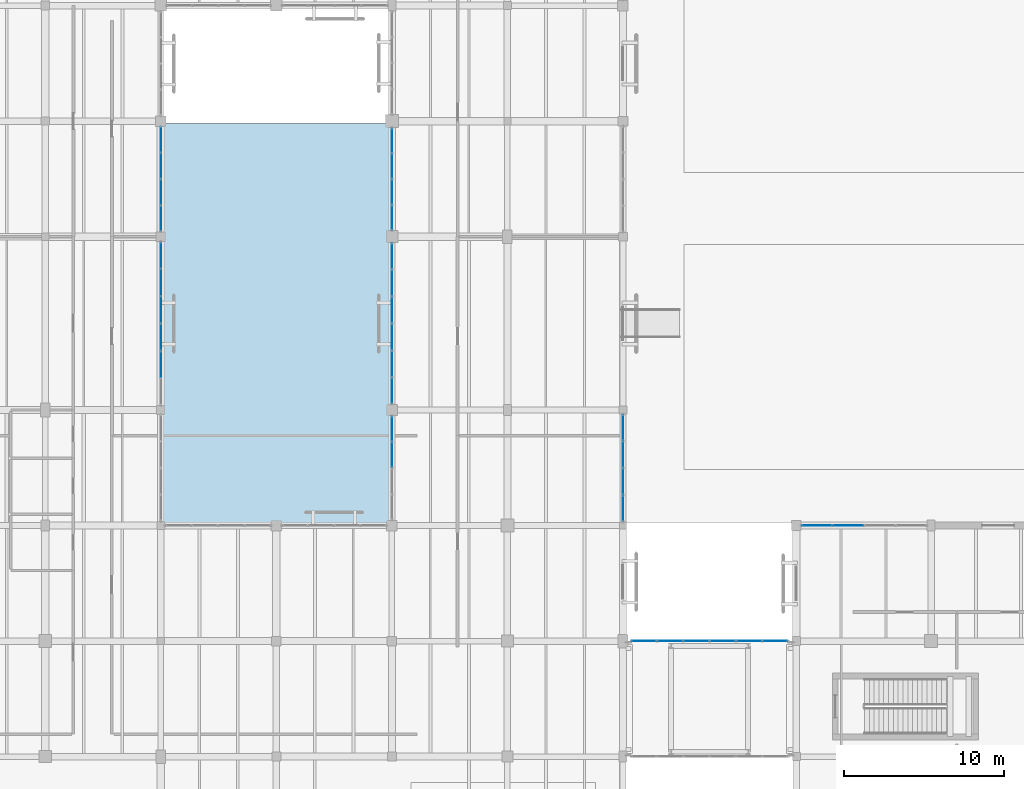
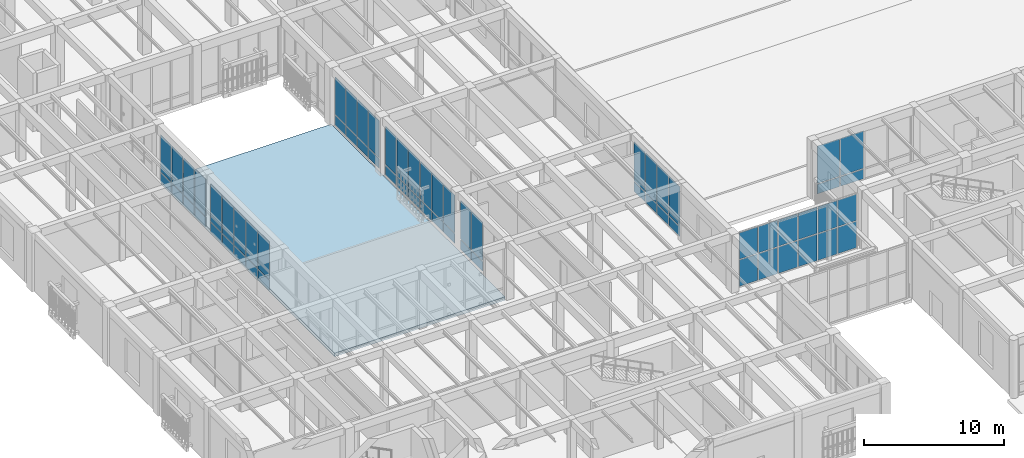
# One storey, part 110 of 169: 66 plates, 1 slab, 8 elements without a shape of their own.
"""IFC4 building model written with IfcOpenShell, lengths in metres."""

import ifcopenshell
import ifcopenshell.guid

model = None  # the IFC model being written
_history = None  # IfcOwnerHistory: only IFC2X3 demands one
_inside = {}  # id of a spatial element -> (the spatial element, [elements in it])
_under = {}  # id of a project, library or spatial element -> (it, [spatial elements below it])
_declared = {}  # id of a project -> (the project, [libraries it declares])
_typed = {}  # id of a type object -> (the type object, [elements of that type])
_made_of = {}  # id of a material, layer set ... -> (it, [elements and type objects made of it])


def new_model(schema):
    """Start an empty IFC model of exactly this schema.

    Asked for "IFC4X3", IfcOpenShell would pick the latest addendum, in which some entities
    have other attributes; the version numbers below select the first issue.
    IFC2X3 requires an IfcOwnerHistory on every rooted entity: one is made here for all.
    """
    global model, _history
    if schema == "IFC4X3":
        model = ifcopenshell.file(schema_version=(4, 3, 0, 0))
    else:
        model = ifcopenshell.file(schema=schema)
    _inside.clear()
    _under.clear()
    _declared.clear()
    _typed.clear()
    _made_of.clear()
    _history = None
    if model.schema == "IFC2X3":
        org = make("IfcOrganization", Name="unknown")
        user = make(
            "IfcPersonAndOrganization",
            ThePerson=make("IfcPerson", FamilyName="unknown"),
            TheOrganization=org,
        )
        app = make(
            "IfcApplication",
            ApplicationDeveloper=org,
            Version="unknown",
            ApplicationFullName="unknown",
            ApplicationIdentifier="unknown",
        )
        _history = make(
            "IfcOwnerHistory",
            OwningUser=user,
            OwningApplication=app,
            ChangeAction="ADDED",
            CreationDate=0,
        )
    return model


def make(cls, **values):
    """One entity of the class cls with the attributes given. An attribute that is None is left unset."""
    return model.create_entity(
        cls, **{name: value for name, value in values.items() if value is not None}
    )


def rooted(cls, **values):
    """An entity with a GlobalId (a new one), such as an element, a storey or a relation."""
    return make(cls, GlobalId=ifcopenshell.guid.new(), OwnerHistory=_history, **values)


def si_unit(unit_type, name, prefix=None):
    """IfcSIUnit, for example si_unit("LENGTHUNIT", "METRE", prefix="MILLI")."""
    return make("IfcSIUnit", UnitType=unit_type, Prefix=prefix, Name=name)


def assignment(units):
    """IfcUnitAssignment: the units of a project."""
    return None if units is None else make("IfcUnitAssignment", Units=units)


def point(xyz):
    """IfcCartesianPoint."""
    return None if xyz is None else make("IfcCartesianPoint", Coordinates=xyz)


def direction(xyz):
    """IfcDirection."""
    return None if xyz is None else make("IfcDirection", DirectionRatios=xyz)


def frame(location, z_axis=None, x_axis=None):
    """IfcAxis2Placement3D, a coordinate frame: its origin and axes. An axis left out is left unset."""
    return make(
        "IfcAxis2Placement3D",
        Location=point(location),
        Axis=direction(z_axis),
        RefDirection=direction(x_axis),
    )


def frame_2d(location, x_axis=None):
    """IfcAxis2Placement2D, a coordinate frame in the plane: its origin and x axis."""
    return make(
        "IfcAxis2Placement2D", Location=point(location), RefDirection=direction(x_axis)
    )


def origin():
    """The frame at (0, 0, 0) with its axes left unset."""
    return frame((0.0, 0.0, 0.0))


def origin_2d():
    """The frame at (0, 0) in the plane with its x axis left unset."""
    return frame_2d((0.0, 0.0))


def place(relative_to, where):
    """IfcLocalPlacement: puts the frame where relative to a parent placement (None: the world)."""
    return make(
        "IfcLocalPlacement", PlacementRelTo=relative_to, RelativePlacement=where
    )


def context(
    kind, dimensions, precision=None, world=None, true_north=None, identifier=None
):
    """IfcGeometricRepresentationContext, for example the 3D "Model" context."""
    return make(
        "IfcGeometricRepresentationContext",
        ContextIdentifier=identifier,
        ContextType=kind,
        CoordinateSpaceDimension=dimensions,
        Precision=precision,
        WorldCoordinateSystem=world,
        TrueNorth=true_north,
    )


def subcontext(parent, identifier, kind, view, scale=None):
    """IfcGeometricRepresentationSubContext, for example "Body" below "Model"."""
    return make(
        "IfcGeometricRepresentationSubContext",
        ContextIdentifier=identifier,
        ContextType=kind,
        ParentContext=parent,
        TargetScale=scale,
        TargetView=view,
    )


def project(units=None, contexts=None):
    """IfcProject with its units and contexts."""
    return rooted(
        "IfcProject",
        Name="project",
        RepresentationContexts=contexts,
        UnitsInContext=assignment(units),
    )


def spatial(cls, under=None, at=None, **own):
    """A site, building, storey or space (cls), placed at a placement, below another one or the project."""
    s = rooted(cls, ObjectPlacement=at, **own)
    if under is not None:
        _under.setdefault(under.id(), (under, []))[1].append(s)
    return s


def polyline(points):
    """IfcPolyline through the points."""
    return make("IfcPolyline", Points=[point(p) for p in points])


def profile(cls, at=None, kind="AREA", **sizes):
    """A parametric profile (cls). Its sizes go by their IFC names, for example OverallWidth=200.0."""
    return make(cls, ProfileType=kind, Position=at, **sizes)


def rectangle(**sizes):
    """IfcRectangleProfileDef."""
    return profile("IfcRectangleProfileDef", **sizes)


def outline(outer, holes=None, kind="AREA"):
    """IfcArbitraryClosedProfileDef: a profile drawn as a closed curve; with holes, ...WithVoids."""
    if holes is None:
        return make("IfcArbitraryClosedProfileDef", ProfileType=kind, OuterCurve=outer)
    return make(
        "IfcArbitraryProfileDefWithVoids",
        ProfileType=kind,
        OuterCurve=outer,
        InnerCurves=holes,
    )


def extrude(swept, where, along, depth):
    """IfcExtrudedAreaSolid: the profile swept, set in the frame where, extruded along a direction by depth."""
    return make(
        "IfcExtrudedAreaSolid",
        SweptArea=swept,
        Position=where,
        ExtrudedDirection=direction(along),
        Depth=depth,
    )


def shape(context_of_items, identifier, shape_type, items):
    """IfcShapeRepresentation: the items that make up one representation, for example the "Body"."""
    return make(
        "IfcShapeRepresentation",
        ContextOfItems=context_of_items,
        RepresentationIdentifier=identifier,
        RepresentationType=shape_type,
        Items=items,
    )


def material(Name=None, Category=None):
    """IfcMaterial."""
    return make("IfcMaterial", Name=Name, Category=Category)


def layer(
    of_material, thickness, ventilated=None, Name=None, Category=None, Priority=None
):
    """IfcMaterialLayer: one layer of a wall or slab, of a material (None: an air gap)."""
    return make(
        "IfcMaterialLayer",
        Material=of_material,
        LayerThickness=thickness,
        IsVentilated=ventilated,
        Name=Name,
        Category=Category,
        Priority=Priority,
    )


def layer_set(layers, Name=None):
    """IfcMaterialLayerSet."""
    return make("IfcMaterialLayerSet", MaterialLayers=layers, LayerSetName=Name)


def made_of(thing, what):
    """Note that an element or type object is made of a material, layer set ...; save() writes the relation."""
    if what is not None:
        _made_of.setdefault(what.id(), (what, []))[1].append(thing)
    return thing


def type_object(cls, material=None, **own):
    """A type object (cls), such as IfcWallType, which elements share."""
    return made_of(rooted(cls, **own), material)


def element(
    cls,
    number,
    at=None,
    inside=None,
    cuts=None,
    type_object=None,
    material=None,
    context=None,
    identifier="Body",
    shape_type=None,
    held_by="IfcProductDefinitionShape",
    body=None,
    shapes=None,
    **own,
):
    """One element of the class cls, such as IfcWall. Its Tag is "e" and its number.

    at: its placement. inside: the storey or other place that contains it. cuts: it is an
    opening in that element (IfcRelVoidsElement). A single representation is given by context,
    identifier, shape_type and body (its items); several are given by shapes. held_by: the class
    of the entity that holds the representations. save() writes the other relations.
    """
    e = rooted(cls, Tag="e%d" % number, ObjectPlacement=at, **own)
    if body is not None:
        shapes = [shape(context, identifier, shape_type, body)]
    if shapes is not None:
        e.Representation = make(held_by, Representations=shapes)
    if inside is not None:
        _inside.setdefault(inside.id(), (inside, []))[1].append(e)
    if cuts is not None:
        rooted(
            "IfcRelVoidsElement", RelatingBuildingElement=cuts, RelatedOpeningElement=e
        )
    if type_object is not None:
        _typed.setdefault(type_object.id(), (type_object, []))[1].append(e)
    return made_of(e, material)


def aggregate(whole, parts):
    """IfcRelAggregates: a whole, such as a stair, and the parts it consists of."""
    return rooted("IfcRelAggregates", RelatingObject=whole, RelatedObjects=parts)


def save(model, path):
    """Write the relations noted so far, then the file.

    IfcRelAggregates (storeys below a building ...), IfcRelContainedInSpatialStructure (elements
    in a storey), IfcRelDefinesByType, IfcRelAssociatesMaterial and IfcRelDeclares: one each for
    every whole, place, type object, material and project.
    """
    for whole, parts in _under.values():
        aggregate(whole, parts)
    for where, things in _inside.values():
        rooted(
            "IfcRelContainedInSpatialStructure",
            RelatedElements=things,
            RelatingStructure=where,
        )
    for kind, things in _typed.values():
        rooted("IfcRelDefinesByType", RelatedObjects=things, RelatingType=kind)
    for what, things in _made_of.values():
        rooted("IfcRelAssociatesMaterial", RelatedObjects=things, RelatingMaterial=what)
    for by, libraries in _declared.values():
        rooted("IfcRelDeclares", RelatingContext=by, RelatedDefinitions=libraries)
    model.write(path)


model = new_model("IFC4")

# Units and contexts
model_context = context("Model", 3, precision=1e-05, world=origin(), true_north=direction((0.0, 1.0)))
body_context = subcontext(model_context, "Body", "Model", "MODEL_VIEW")
ifc_project = project(units=[si_unit("LENGTHUNIT", "METRE"), si_unit("AREAUNIT", "SQUARE_METRE"), si_unit("VOLUMEUNIT", "CUBIC_METRE"), si_unit("PLANEANGLEUNIT", "RADIAN"), si_unit("MASSUNIT", "GRAM", prefix="KILO")], contexts=[model_context])

# Site, building, storey
site_placement = place(None, origin())
site = spatial("IfcSite", under=ifc_project, at=site_placement, CompositionType="ELEMENT")
building_placement = place(site_placement, origin())
building = spatial("IfcBuilding", under=site, at=building_placement, Name="Mazaris Harbour Polytechnic", CompositionType="ELEMENT")
storey_placement = place(building_placement, origin())
storey = spatial("IfcBuildingStorey", under=building, at=storey_placement, Name="L00", CompositionType="ELEMENT", Elevation=0.0)

# Curtain wall, plates
ifc_material_1 = material(Name="Anodised Bronze Aluminium and Low-E Glass", Category="aluminium")
ifc_layer_1 = layer(ifc_material_1, 0.159912109375, Name="Anodised Bronze Aluminium and Low-E Glass")
ifc_layer_set_1 = layer_set([ifc_layer_1], Name="Anodised Bronze Aluminium and Low-E Glass")
curtain_wall_type_1 = type_object("IfcCurtainWallType", Name="Cloister Court Curtain Wall", PredefinedType="NOTDEFINED", material=ifc_layer_set_1)
curtain_wall_1_placement = place(storey_placement, origin())
curtain_wall_1 = element("IfcCurtainWall", 1, at=curtain_wall_1_placement, inside=storey, type_object=curtain_wall_type_1, Name="V3 L00 Curtain Wall 64", PredefinedType="NOTDEFINED")
ifc_material_2 = material(Name="Low-E Double Glazing", Category="glass")
ifc_layer_2 = layer(ifc_material_2, 0.028076171875, Name="Low-E Double Glazing")
ifc_layer_set_2 = layer_set([ifc_layer_2], Name="Low-E Double Glazing")
plate_type = type_object("IfcPlateType", Name="Low-E Vision Glass Panel 28", PredefinedType="CURTAIN_PANEL", material=ifc_layer_set_2)
plate_1_placement = place(storey_placement, frame((55.295166015625, 36.0, 0.080078125), z_axis=(0.0, 0.0, 1.0), x_axis=(1.0, 0.0, 0.0)))
plate_1 = element("IfcPlate", 2, at=plate_1_placement, type_object=plate_type, Name="CW-02 panel 1.1", PredefinedType="CURTAIN_PANEL", context=body_context, shape_type="SweptSolid", body=[
    extrude(rectangle(XDim=1.846435546875, YDim=0.028076171875, at=origin_2d()), origin(), (0.0, 0.0, 1.0), 0.830078125),
])
plate_2_placement = place(storey_placement, frame((55.295166015625, 36.0, 0.989990234375), z_axis=(0.0, 0.0, 1.0), x_axis=(1.0, 0.0, 0.0)))
plate_2 = element("IfcPlate", 3, at=plate_2_placement, type_object=plate_type, Name="CW-02 panel 1.2", PredefinedType="CURTAIN_PANEL", context=body_context, shape_type="SweptSolid", body=[
    extrude(rectangle(XDim=1.846435546875, YDim=0.028076171875, at=origin_2d()), origin(), (0.0, 0.0, 1.0), 3.27001953125),
])
plate_3_placement = place(storey_placement, frame((57.24169921875, 36.0, 0.080078125), z_axis=(0.0, 0.0, 1.0), x_axis=(1.0, 0.0, 0.0)))
plate_3 = element("IfcPlate", 4, at=plate_3_placement, type_object=plate_type, Name="CW-02 panel 2.1", PredefinedType="CURTAIN_PANEL", context=body_context, shape_type="SweptSolid", body=[
    extrude(rectangle(XDim=1.886474609375, YDim=0.028076171875, at=origin_2d()), origin(), (0.0, 0.0, 1.0), 0.830078125),
])
plate_4_placement = place(storey_placement, frame((57.24169921875, 36.0, 0.989990234375), z_axis=(0.0, 0.0, 1.0), x_axis=(1.0, 0.0, 0.0)))
plate_4 = element("IfcPlate", 5, at=plate_4_placement, type_object=plate_type, Name="CW-02 panel 2.2", PredefinedType="CURTAIN_PANEL", context=body_context, shape_type="SweptSolid", body=[
    extrude(rectangle(XDim=1.886474609375, YDim=0.028076171875, at=origin_2d()), origin(), (0.0, 0.0, 1.0), 3.27001953125),
])
aggregate(curtain_wall_1, [plate_1, plate_2, plate_3, plate_4])

curtain_wall_2_placement = place(storey_placement, origin())
curtain_wall_2 = element("IfcCurtainWall", 6, at=curtain_wall_2_placement, inside=storey, type_object=curtain_wall_type_1, Name="V4 L00 Curtain Wall 96", PredefinedType="NOTDEFINED")
plate_5_placement = place(storey_placement, frame((43.199951171875, 42.095458984375, 0.080078125), z_axis=(0.0, 0.0, 1.0), x_axis=(0.0, -1.0, 0.0)))
plate_5 = element("IfcPlate", 7, at=plate_5_placement, type_object=plate_type, Name="CW-02 panel 1.1", PredefinedType="CURTAIN_PANEL", context=body_context, shape_type="SweptSolid", body=[
    extrude(rectangle(XDim=1.565185546875, YDim=0.028076171875, at=origin_2d()), origin(), (0.0, 0.0, 1.0), 0.830078125),
])
plate_6_placement = place(storey_placement, frame((43.199951171875, 42.095458984375, 0.989990234375), z_axis=(0.0, 0.0, 1.0), x_axis=(0.0, -1.0, 0.0)))
plate_6 = element("IfcPlate", 8, at=plate_6_placement, type_object=plate_type, Name="CW-02 panel 1.2", PredefinedType="CURTAIN_PANEL", context=body_context, shape_type="SweptSolid", body=[
    extrude(rectangle(XDim=1.565185546875, YDim=0.028076171875, at=origin_2d()), origin(), (0.0, 0.0, 1.0), 3.419921875),
])
plate_7_placement = place(storey_placement, frame((43.199951171875, 40.43017578125, 0.080078125), z_axis=(0.0, 0.0, 1.0), x_axis=(0.0, -1.0, 0.0)))
plate_7 = element("IfcPlate", 9, at=plate_7_placement, type_object=plate_type, Name="CW-02 panel 2.1", PredefinedType="CURTAIN_PANEL", context=body_context, shape_type="SweptSolid", body=[
    extrude(rectangle(XDim=1.605224609375, YDim=0.028076171875, at=origin_2d()), origin(), (0.0, 0.0, 1.0), 0.830078125),
])
plate_8_placement = place(storey_placement, frame((43.199951171875, 40.43017578125, 0.989990234375), z_axis=(0.0, 0.0, 1.0), x_axis=(0.0, -1.0, 0.0)))
plate_8 = element("IfcPlate", 10, at=plate_8_placement, type_object=plate_type, Name="CW-02 panel 2.2", PredefinedType="CURTAIN_PANEL", context=body_context, shape_type="SweptSolid", body=[
    extrude(rectangle(XDim=1.605224609375, YDim=0.028076171875, at=origin_2d()), origin(), (0.0, 0.0, 1.0), 3.419921875),
])
plate_9_placement = place(storey_placement, frame((43.199951171875, 38.744873046875, 0.080078125), z_axis=(0.0, 0.0, 1.0), x_axis=(0.0, -1.0, 0.0)))
plate_9 = element("IfcPlate", 11, at=plate_9_placement, type_object=plate_type, Name="CW-02 panel 3.1", PredefinedType="CURTAIN_PANEL", context=body_context, shape_type="SweptSolid", body=[
    extrude(rectangle(XDim=1.605224609375, YDim=0.028076171875, at=origin_2d()), origin(), (0.0, 0.0, 1.0), 0.830078125),
])
plate_10_placement = place(storey_placement, frame((43.199951171875, 38.744873046875, 0.989990234375), z_axis=(0.0, 0.0, 1.0), x_axis=(0.0, -1.0, 0.0)))
plate_10 = element("IfcPlate", 12, at=plate_10_placement, type_object=plate_type, Name="CW-02 panel 3.2", PredefinedType="CURTAIN_PANEL", context=body_context, shape_type="SweptSolid", body=[
    extrude(rectangle(XDim=1.605224609375, YDim=0.028076171875, at=origin_2d()), origin(), (0.0, 0.0, 1.0), 3.419921875),
])
plate_11_placement = place(storey_placement, frame((43.199951171875, 37.07958984375, 0.080078125), z_axis=(0.0, 0.0, 1.0), x_axis=(0.0, -1.0, 0.0)))
plate_11 = element("IfcPlate", 13, at=plate_11_placement, type_object=plate_type, Name="CW-02 panel 4.1", PredefinedType="CURTAIN_PANEL", context=body_context, shape_type="SweptSolid", body=[
    extrude(rectangle(XDim=1.565185546875, YDim=0.028076171875, at=origin_2d()), origin(), (0.0, 0.0, 1.0), 0.830078125),
])
plate_12_placement = place(storey_placement, frame((43.199951171875, 37.07958984375, 0.989990234375), z_axis=(0.0, 0.0, 1.0), x_axis=(0.0, -1.0, 0.0)))
plate_12 = element("IfcPlate", 14, at=plate_12_placement, type_object=plate_type, Name="CW-02 panel 4.2", PredefinedType="CURTAIN_PANEL", context=body_context, shape_type="SweptSolid", body=[
    extrude(rectangle(XDim=1.565185546875, YDim=0.028076171875, at=origin_2d()), origin(), (0.0, 0.0, 1.0), 3.419921875),
])
aggregate(curtain_wall_2, [plate_5, plate_6, plate_7, plate_8, plate_9, plate_10, plate_11, plate_12])

curtain_wall_3_placement = place(storey_placement, origin())
curtain_wall_3 = element("IfcCurtainWall", 15, at=curtain_wall_3_placement, inside=storey, type_object=curtain_wall_type_1, Name="V4 L00 Curtain Wall 104", PredefinedType="NOTDEFINED")
plate_13_placement = place(storey_placement, frame((14.39990234375, 46.02734375, 0.080078125), z_axis=(0.0, 0.0, 1.0), x_axis=(0.0, 1.0, 0.0)))
plate_13 = element("IfcPlate", 16, at=plate_13_placement, type_object=plate_type, Name="CW-02 panel 2.1", PredefinedType="CURTAIN_PANEL", context=body_context, shape_type="SweptSolid", body=[
    extrude(rectangle(XDim=1.626953125, YDim=0.028076171875, at=origin_2d()), origin(), (0.0, 0.0, 1.0), 0.830078125),
])
plate_14_placement = place(storey_placement, frame((14.39990234375, 46.02734375, 0.989990234375), z_axis=(0.0, 0.0, 1.0), x_axis=(0.0, 1.0, 0.0)))
plate_14 = element("IfcPlate", 17, at=plate_14_placement, type_object=plate_type, Name="CW-02 panel 2.2", PredefinedType="CURTAIN_PANEL", context=body_context, shape_type="SweptSolid", body=[
    extrude(rectangle(XDim=1.626953125, YDim=0.028076171875, at=origin_2d()), origin(), (0.0, 0.0, 1.0), 3.27001953125),
])
plate_15_placement = place(storey_placement, frame((14.39990234375, 47.734130859375, 0.080078125), z_axis=(0.0, 0.0, 1.0), x_axis=(0.0, 1.0, 0.0)))
plate_15 = element("IfcPlate", 18, at=plate_15_placement, type_object=plate_type, Name="CW-02 panel 3.1", PredefinedType="CURTAIN_PANEL", context=body_context, shape_type="SweptSolid", body=[
    extrude(rectangle(XDim=1.626953125, YDim=0.028076171875, at=origin_2d()), origin(), (0.0, 0.0, 1.0), 0.830078125),
])
plate_16_placement = place(storey_placement, frame((14.39990234375, 47.734130859375, 0.989990234375), z_axis=(0.0, 0.0, 1.0), x_axis=(0.0, 1.0, 0.0)))
plate_16 = element("IfcPlate", 19, at=plate_16_placement, type_object=plate_type, Name="CW-02 panel 3.2", PredefinedType="CURTAIN_PANEL", context=body_context, shape_type="SweptSolid", body=[
    extrude(rectangle(XDim=1.626953125, YDim=0.028076171875, at=origin_2d()), origin(), (0.0, 0.0, 1.0), 3.27001953125),
])
plate_17_placement = place(storey_placement, frame((14.39990234375, 49.44091796875, 0.080078125), z_axis=(0.0, 0.0, 1.0), x_axis=(0.0, 1.0, 0.0)))
plate_17 = element("IfcPlate", 20, at=plate_17_placement, type_object=plate_type, Name="CW-02 panel 4.1", PredefinedType="CURTAIN_PANEL", context=body_context, shape_type="SweptSolid", body=[
    extrude(rectangle(XDim=1.626953125, YDim=0.028076171875, at=origin_2d()), origin(), (0.0, 0.0, 1.0), 0.830078125),
])
plate_18_placement = place(storey_placement, frame((14.39990234375, 49.44091796875, 0.989990234375), z_axis=(0.0, 0.0, 1.0), x_axis=(0.0, 1.0, 0.0)))
plate_18 = element("IfcPlate", 21, at=plate_18_placement, type_object=plate_type, Name="CW-02 panel 4.2", PredefinedType="CURTAIN_PANEL", context=body_context, shape_type="SweptSolid", body=[
    extrude(rectangle(XDim=1.626953125, YDim=0.028076171875, at=origin_2d()), origin(), (0.0, 0.0, 1.0), 3.27001953125),
])
plate_19_placement = place(storey_placement, frame((14.39990234375, 51.147705078125, 0.080078125), z_axis=(0.0, 0.0, 1.0), x_axis=(0.0, 1.0, 0.0)))
plate_19 = element("IfcPlate", 22, at=plate_19_placement, type_object=plate_type, Name="CW-02 panel 5.1", PredefinedType="CURTAIN_PANEL", context=body_context, shape_type="SweptSolid", body=[
    extrude(rectangle(XDim=1.626953125, YDim=0.028076171875, at=origin_2d()), origin(), (0.0, 0.0, 1.0), 0.830078125),
])
plate_20_placement = place(storey_placement, frame((14.39990234375, 51.147705078125, 0.989990234375), z_axis=(0.0, 0.0, 1.0), x_axis=(0.0, 1.0, 0.0)))
plate_20 = element("IfcPlate", 23, at=plate_20_placement, type_object=plate_type, Name="CW-02 panel 5.2", PredefinedType="CURTAIN_PANEL", context=body_context, shape_type="SweptSolid", body=[
    extrude(rectangle(XDim=1.626953125, YDim=0.028076171875, at=origin_2d()), origin(), (0.0, 0.0, 1.0), 3.27001953125),
])
plate_21_placement = place(storey_placement, frame((14.39990234375, 52.83447265625, 0.080078125), z_axis=(0.0, 0.0, 1.0), x_axis=(0.0, 1.0, 0.0)))
plate_21 = element("IfcPlate", 24, at=plate_21_placement, type_object=plate_type, Name="CW-02 panel 6.1", PredefinedType="CURTAIN_PANEL", context=body_context, shape_type="SweptSolid", body=[
    extrude(rectangle(XDim=1.5869140625, YDim=0.028076171875, at=origin_2d()), origin(), (0.0, 0.0, 1.0), 0.830078125),
])
plate_22_placement = place(storey_placement, frame((14.39990234375, 52.83447265625, 0.989990234375), z_axis=(0.0, 0.0, 1.0), x_axis=(0.0, 1.0, 0.0)))
plate_22 = element("IfcPlate", 25, at=plate_22_placement, type_object=plate_type, Name="CW-02 panel 6.2", PredefinedType="CURTAIN_PANEL", context=body_context, shape_type="SweptSolid", body=[
    extrude(rectangle(XDim=1.5869140625, YDim=0.028076171875, at=origin_2d()), origin(), (0.0, 0.0, 1.0), 3.27001953125),
])
aggregate(curtain_wall_3, [plate_13, plate_14, plate_15, plate_16, plate_17, plate_18, plate_19, plate_20, plate_21, plate_22])

curtain_wall_4_placement = place(storey_placement, origin())
curtain_wall_4 = element("IfcCurtainWall", 26, at=curtain_wall_4_placement, inside=storey, type_object=curtain_wall_type_1, Name="V4 L00 Curtain Wall 105", PredefinedType="NOTDEFINED")
plate_23_placement = place(storey_placement, frame((14.39990234375, 55.135986328125, 0.080078125), z_axis=(0.0, 0.0, 1.0), x_axis=(0.0, 1.0, 0.0)))
plate_23 = element("IfcPlate", 27, at=plate_23_placement, type_object=plate_type, Name="CW-02 panel 1.1", PredefinedType="CURTAIN_PANEL", context=body_context, shape_type="SweptSolid", body=[
    extrude(rectangle(XDim=1.52783203125, YDim=0.028076171875, at=origin_2d()), origin(), (0.0, 0.0, 1.0), 0.830078125),
])
plate_24_placement = place(storey_placement, frame((14.39990234375, 55.135986328125, 0.990234375), z_axis=(0.0, 0.0, 1.0), x_axis=(0.0, 1.0, 0.0)))
plate_24 = element("IfcPlate", 28, at=plate_24_placement, type_object=plate_type, Name="CW-02 panel 1.2", PredefinedType="CURTAIN_PANEL", context=body_context, shape_type="SweptSolid", body=[
    extrude(rectangle(XDim=1.52783203125, YDim=0.028076171875, at=origin_2d()), origin(), (0.0, 0.0, 1.0), 3.219970703125),
])
plate_25_placement = place(storey_placement, frame((14.39990234375, 56.763671875, 0.080078125), z_axis=(0.0, 0.0, 1.0), x_axis=(0.0, 1.0, 0.0)))
plate_25 = element("IfcPlate", 29, at=plate_25_placement, type_object=plate_type, Name="CW-02 panel 2.1", PredefinedType="CURTAIN_PANEL", context=body_context, shape_type="SweptSolid", body=[
    extrude(rectangle(XDim=1.56787109375, YDim=0.028076171875, at=origin_2d()), origin(), (0.0, 0.0, 1.0), 0.830078125),
])
plate_26_placement = place(storey_placement, frame((14.39990234375, 56.763671875, 0.990234375), z_axis=(0.0, 0.0, 1.0), x_axis=(0.0, 1.0, 0.0)))
plate_26 = element("IfcPlate", 30, at=plate_26_placement, type_object=plate_type, Name="CW-02 panel 2.2", PredefinedType="CURTAIN_PANEL", context=body_context, shape_type="SweptSolid", body=[
    extrude(rectangle(XDim=1.56787109375, YDim=0.028076171875, at=origin_2d()), origin(), (0.0, 0.0, 1.0), 3.219970703125),
])
plate_27_placement = place(storey_placement, frame((14.39990234375, 58.411376953125, 0.080078125), z_axis=(0.0, 0.0, 1.0), x_axis=(0.0, 1.0, 0.0)))
plate_27 = element("IfcPlate", 31, at=plate_27_placement, type_object=plate_type, Name="CW-02 panel 3.1", PredefinedType="CURTAIN_PANEL", context=body_context, shape_type="SweptSolid", body=[
    extrude(rectangle(XDim=1.56787109375, YDim=0.028076171875, at=origin_2d()), origin(), (0.0, 0.0, 1.0), 0.830078125),
])
plate_28_placement = place(storey_placement, frame((14.39990234375, 58.411376953125, 0.990234375), z_axis=(0.0, 0.0, 1.0), x_axis=(0.0, 1.0, 0.0)))
plate_28 = element("IfcPlate", 32, at=plate_28_placement, type_object=plate_type, Name="CW-02 panel 3.2", PredefinedType="CURTAIN_PANEL", context=body_context, shape_type="SweptSolid", body=[
    extrude(rectangle(XDim=1.56787109375, YDim=0.028076171875, at=origin_2d()), origin(), (0.0, 0.0, 1.0), 3.219970703125),
])
plate_29_placement = place(storey_placement, frame((14.39990234375, 60.0390625, 0.080078125), z_axis=(0.0, 0.0, 1.0), x_axis=(0.0, 1.0, 0.0)))
plate_29 = element("IfcPlate", 33, at=plate_29_placement, type_object=plate_type, Name="CW-02 panel 4.1", PredefinedType="CURTAIN_PANEL", context=body_context, shape_type="SweptSolid", body=[
    extrude(rectangle(XDim=1.52783203125, YDim=0.028076171875, at=origin_2d()), origin(), (0.0, 0.0, 1.0), 0.830078125),
])
plate_30_placement = place(storey_placement, frame((14.39990234375, 60.0390625, 0.990234375), z_axis=(0.0, 0.0, 1.0), x_axis=(0.0, 1.0, 0.0)))
plate_30 = element("IfcPlate", 34, at=plate_30_placement, type_object=plate_type, Name="CW-02 panel 4.2", PredefinedType="CURTAIN_PANEL", context=body_context, shape_type="SweptSolid", body=[
    extrude(rectangle(XDim=1.52783203125, YDim=0.028076171875, at=origin_2d()), origin(), (0.0, 0.0, 1.0), 3.219970703125),
])
aggregate(curtain_wall_4, [plate_23, plate_24, plate_25, plate_26, plate_27, plate_28, plate_29, plate_30])

curtain_wall_5_placement = place(storey_placement, origin())
curtain_wall_5 = element("IfcCurtainWall", 35, at=curtain_wall_5_placement, inside=storey, type_object=curtain_wall_type_1, Name="V4 L00 Curtain Wall 107", PredefinedType="NOTDEFINED")
plate_31_placement = place(storey_placement, frame((28.800048828125, 42.020263671875, 0.080078125), z_axis=(0.0, 0.0, 1.0), x_axis=(0.0, -1.0, 0.0)))
plate_31 = element("IfcPlate", 36, at=plate_31_placement, type_object=plate_type, Name="CW-02 panel 1.1", PredefinedType="CURTAIN_PANEL", context=body_context, shape_type="SweptSolid", body=[
    extrude(rectangle(XDim=1.51513671875, YDim=0.028076171875, at=origin_2d()), origin(), (0.0, 0.0, 1.0), 0.830078125),
])
plate_32_placement = place(storey_placement, frame((28.800048828125, 42.020263671875, 0.989990234375), z_axis=(0.0, 0.0, 1.0), x_axis=(0.0, -1.0, 0.0)))
plate_32 = element("IfcPlate", 37, at=plate_32_placement, type_object=plate_type, Name="CW-02 panel 1.2", PredefinedType="CURTAIN_PANEL", context=body_context, shape_type="SweptSolid", body=[
    extrude(rectangle(XDim=1.51513671875, YDim=0.028076171875, at=origin_2d()), origin(), (0.0, 0.0, 1.0), 3.3701171875),
])
plate_33_placement = place(storey_placement, frame((28.800048828125, 40.405029296875, 0.080078125), z_axis=(0.0, 0.0, 1.0), x_axis=(0.0, -1.0, 0.0)))
plate_33 = element("IfcPlate", 38, at=plate_33_placement, type_object=plate_type, Name="CW-02 panel 2.1", PredefinedType="CURTAIN_PANEL", context=body_context, shape_type="SweptSolid", body=[
    extrude(rectangle(XDim=1.55517578125, YDim=0.028076171875, at=origin_2d()), origin(), (0.0, 0.0, 1.0), 0.830078125),
])
plate_34_placement = place(storey_placement, frame((28.800048828125, 40.405029296875, 0.989990234375), z_axis=(0.0, 0.0, 1.0), x_axis=(0.0, -1.0, 0.0)))
plate_34 = element("IfcPlate", 39, at=plate_34_placement, type_object=plate_type, Name="CW-02 panel 2.2", PredefinedType="CURTAIN_PANEL", context=body_context, shape_type="SweptSolid", body=[
    extrude(rectangle(XDim=1.55517578125, YDim=0.028076171875, at=origin_2d()), origin(), (0.0, 0.0, 1.0), 3.3701171875),
])
aggregate(curtain_wall_5, [plate_31, plate_32, plate_33, plate_34])

curtain_wall_6_placement = place(storey_placement, origin())
curtain_wall_6 = element("IfcCurtainWall", 40, at=curtain_wall_6_placement, inside=storey, type_object=curtain_wall_type_1, Name="V4 L00 Curtain Wall 108", PredefinedType="NOTDEFINED")
plate_35_placement = place(storey_placement, frame((28.800048828125, 52.77197265625, 0.080078125), z_axis=(0.0, 0.0, 1.0), x_axis=(0.0, -1.0, 0.0)))
plate_35 = element("IfcPlate", 41, at=plate_35_placement, type_object=plate_type, Name="CW-02 panel 1.1", PredefinedType="CURTAIN_PANEL", context=body_context, shape_type="SweptSolid", body=[
    extrude(rectangle(XDim=1.561767578125, YDim=0.028076171875, at=origin_2d()), origin(), (0.0, 0.0, 1.0), 0.830078125),
])
plate_36_placement = place(storey_placement, frame((28.800048828125, 52.77197265625, 0.98974609375), z_axis=(0.0, 0.0, 1.0), x_axis=(0.0, -1.0, 0.0)))
plate_36 = element("IfcPlate", 42, at=plate_36_placement, type_object=plate_type, Name="CW-02 panel 1.2", PredefinedType="CURTAIN_PANEL", context=body_context, shape_type="SweptSolid", body=[
    extrude(rectangle(XDim=1.561767578125, YDim=0.028076171875, at=origin_2d()), origin(), (0.0, 0.0, 1.0), 3.320068359375),
])
plate_37_placement = place(storey_placement, frame((28.800048828125, 51.1103515625, 0.080078125), z_axis=(0.0, 0.0, 1.0), x_axis=(0.0, -1.0, 0.0)))
plate_37 = element("IfcPlate", 43, at=plate_37_placement, type_object=plate_type, Name="CW-02 panel 2.1", PredefinedType="CURTAIN_PANEL", context=body_context, shape_type="SweptSolid", body=[
    extrude(rectangle(XDim=1.601806640625, YDim=0.028076171875, at=origin_2d()), origin(), (0.0, 0.0, 1.0), 0.830078125),
])
plate_38_placement = place(storey_placement, frame((28.800048828125, 51.1103515625, 0.98974609375), z_axis=(0.0, 0.0, 1.0), x_axis=(0.0, -1.0, 0.0)))
plate_38 = element("IfcPlate", 44, at=plate_38_placement, type_object=plate_type, Name="CW-02 panel 2.2", PredefinedType="CURTAIN_PANEL", context=body_context, shape_type="SweptSolid", body=[
    extrude(rectangle(XDim=1.601806640625, YDim=0.028076171875, at=origin_2d()), origin(), (0.0, 0.0, 1.0), 3.320068359375),
])
plate_39_placement = place(storey_placement, frame((28.800048828125, 49.428466796875, 0.080078125), z_axis=(0.0, 0.0, 1.0), x_axis=(0.0, -1.0, 0.0)))
plate_39 = element("IfcPlate", 45, at=plate_39_placement, type_object=plate_type, Name="CW-02 panel 3.1", PredefinedType="CURTAIN_PANEL", context=body_context, shape_type="SweptSolid", body=[
    extrude(rectangle(XDim=1.601806640625, YDim=0.028076171875, at=origin_2d()), origin(), (0.0, 0.0, 1.0), 0.830078125),
])
plate_40_placement = place(storey_placement, frame((28.800048828125, 49.428466796875, 0.98974609375), z_axis=(0.0, 0.0, 1.0), x_axis=(0.0, -1.0, 0.0)))
plate_40 = element("IfcPlate", 46, at=plate_40_placement, type_object=plate_type, Name="CW-02 panel 3.2", PredefinedType="CURTAIN_PANEL", context=body_context, shape_type="SweptSolid", body=[
    extrude(rectangle(XDim=1.601806640625, YDim=0.028076171875, at=origin_2d()), origin(), (0.0, 0.0, 1.0), 3.320068359375),
])
plate_41_placement = place(storey_placement, frame((28.800048828125, 47.74658203125, 0.080078125), z_axis=(0.0, 0.0, 1.0), x_axis=(0.0, -1.0, 0.0)))
plate_41 = element("IfcPlate", 47, at=plate_41_placement, type_object=plate_type, Name="CW-02 panel 4.1", PredefinedType="CURTAIN_PANEL", context=body_context, shape_type="SweptSolid", body=[
    extrude(rectangle(XDim=1.601806640625, YDim=0.028076171875, at=origin_2d()), origin(), (0.0, 0.0, 1.0), 0.830078125),
])
plate_42_placement = place(storey_placement, frame((28.800048828125, 47.74658203125, 0.98974609375), z_axis=(0.0, 0.0, 1.0), x_axis=(0.0, -1.0, 0.0)))
plate_42 = element("IfcPlate", 48, at=plate_42_placement, type_object=plate_type, Name="CW-02 panel 4.2", PredefinedType="CURTAIN_PANEL", context=body_context, shape_type="SweptSolid", body=[
    extrude(rectangle(XDim=1.601806640625, YDim=0.028076171875, at=origin_2d()), origin(), (0.0, 0.0, 1.0), 3.320068359375),
])
plate_43_placement = place(storey_placement, frame((28.800048828125, 46.064697265625, 0.080078125), z_axis=(0.0, 0.0, 1.0), x_axis=(0.0, -1.0, 0.0)))
plate_43 = element("IfcPlate", 49, at=plate_43_placement, type_object=plate_type, Name="CW-02 panel 5.1", PredefinedType="CURTAIN_PANEL", context=body_context, shape_type="SweptSolid", body=[
    extrude(rectangle(XDim=1.601806640625, YDim=0.028076171875, at=origin_2d()), origin(), (0.0, 0.0, 1.0), 0.830078125),
])
plate_44_placement = place(storey_placement, frame((28.800048828125, 46.064697265625, 0.98974609375), z_axis=(0.0, 0.0, 1.0), x_axis=(0.0, -1.0, 0.0)))
plate_44 = element("IfcPlate", 50, at=plate_44_placement, type_object=plate_type, Name="CW-02 panel 5.2", PredefinedType="CURTAIN_PANEL", context=body_context, shape_type="SweptSolid", body=[
    extrude(rectangle(XDim=1.601806640625, YDim=0.028076171875, at=origin_2d()), origin(), (0.0, 0.0, 1.0), 3.320068359375),
])
plate_45_placement = place(storey_placement, frame((28.800048828125, 44.40283203125, 0.080078125), z_axis=(0.0, 0.0, 1.0), x_axis=(0.0, -1.0, 0.0)))
plate_45 = element("IfcPlate", 51, at=plate_45_placement, type_object=plate_type, Name="CW-02 panel 6.1", PredefinedType="CURTAIN_PANEL", context=body_context, shape_type="SweptSolid", body=[
    extrude(rectangle(XDim=1.561767578125, YDim=0.028076171875, at=origin_2d()), origin(), (0.0, 0.0, 1.0), 0.830078125),
])
plate_46_placement = place(storey_placement, frame((28.800048828125, 44.40283203125, 0.98974609375), z_axis=(0.0, 0.0, 1.0), x_axis=(0.0, -1.0, 0.0)))
plate_46 = element("IfcPlate", 52, at=plate_46_placement, type_object=plate_type, Name="CW-02 panel 6.2", PredefinedType="CURTAIN_PANEL", context=body_context, shape_type="SweptSolid", body=[
    extrude(rectangle(XDim=1.561767578125, YDim=0.028076171875, at=origin_2d()), origin(), (0.0, 0.0, 1.0), 3.320068359375),
])
aggregate(curtain_wall_6, [plate_35, plate_36, plate_37, plate_38, plate_39, plate_40, plate_41, plate_42, plate_43, plate_44, plate_45, plate_46])

curtain_wall_7_placement = place(storey_placement, origin())
curtain_wall_7 = element("IfcCurtainWall", 53, at=curtain_wall_7_placement, inside=storey, type_object=curtain_wall_type_1, Name="V4 L00 Curtain Wall 109", PredefinedType="NOTDEFINED")
plate_47_placement = place(storey_placement, frame((28.800048828125, 59.98291015625, 0.080078125), z_axis=(0.0, 0.0, 1.0), x_axis=(0.0, -1.0, 0.0)))
plate_47 = element("IfcPlate", 54, at=plate_47_placement, type_object=plate_type, Name="CW-02 panel 1.1", PredefinedType="CURTAIN_PANEL", context=body_context, shape_type="SweptSolid", body=[
    extrude(rectangle(XDim=1.490234375, YDim=0.028076171875, at=origin_2d()), origin(), (0.0, 0.0, 1.0), 0.830078125),
])
plate_48_placement = place(storey_placement, frame((28.800048828125, 59.98291015625, 0.989990234375), z_axis=(0.0, 0.0, 1.0), x_axis=(0.0, -1.0, 0.0)))
plate_48 = element("IfcPlate", 55, at=plate_48_placement, type_object=plate_type, Name="CW-02 panel 1.2", PredefinedType="CURTAIN_PANEL", context=body_context, shape_type="SweptSolid", body=[
    extrude(rectangle(XDim=1.490234375, YDim=0.028076171875, at=origin_2d()), origin(), (0.0, 0.0, 1.0), 3.27001953125),
])
plate_49_placement = place(storey_placement, frame((28.800048828125, 58.392578125, 0.080078125), z_axis=(0.0, 0.0, 1.0), x_axis=(0.0, -1.0, 0.0)))
plate_49 = element("IfcPlate", 56, at=plate_49_placement, type_object=plate_type, Name="CW-02 panel 2.1", PredefinedType="CURTAIN_PANEL", context=body_context, shape_type="SweptSolid", body=[
    extrude(rectangle(XDim=1.5302734375, YDim=0.028076171875, at=origin_2d()), origin(), (0.0, 0.0, 1.0), 0.830078125),
])
plate_50_placement = place(storey_placement, frame((28.800048828125, 58.392578125, 0.989990234375), z_axis=(0.0, 0.0, 1.0), x_axis=(0.0, -1.0, 0.0)))
plate_50 = element("IfcPlate", 57, at=plate_50_placement, type_object=plate_type, Name="CW-02 panel 2.2", PredefinedType="CURTAIN_PANEL", context=body_context, shape_type="SweptSolid", body=[
    extrude(rectangle(XDim=1.5302734375, YDim=0.028076171875, at=origin_2d()), origin(), (0.0, 0.0, 1.0), 3.27001953125),
])
plate_51_placement = place(storey_placement, frame((28.800048828125, 56.782470703125, 0.080078125), z_axis=(0.0, 0.0, 1.0), x_axis=(0.0, -1.0, 0.0)))
plate_51 = element("IfcPlate", 58, at=plate_51_placement, type_object=plate_type, Name="CW-02 panel 3.1", PredefinedType="CURTAIN_PANEL", context=body_context, shape_type="SweptSolid", body=[
    extrude(rectangle(XDim=1.5302734375, YDim=0.028076171875, at=origin_2d()), origin(), (0.0, 0.0, 1.0), 0.830078125),
])
plate_52_placement = place(storey_placement, frame((28.800048828125, 56.782470703125, 0.989990234375), z_axis=(0.0, 0.0, 1.0), x_axis=(0.0, -1.0, 0.0)))
plate_52 = element("IfcPlate", 59, at=plate_52_placement, type_object=plate_type, Name="CW-02 panel 3.2", PredefinedType="CURTAIN_PANEL", context=body_context, shape_type="SweptSolid", body=[
    extrude(rectangle(XDim=1.5302734375, YDim=0.028076171875, at=origin_2d()), origin(), (0.0, 0.0, 1.0), 3.27001953125),
])
plate_53_placement = place(storey_placement, frame((28.800048828125, 55.192138671875, 0.080078125), z_axis=(0.0, 0.0, 1.0), x_axis=(0.0, -1.0, 0.0)))
plate_53 = element("IfcPlate", 60, at=plate_53_placement, type_object=plate_type, Name="CW-02 panel 4.1", PredefinedType="CURTAIN_PANEL", context=body_context, shape_type="SweptSolid", body=[
    extrude(rectangle(XDim=1.490234375, YDim=0.028076171875, at=origin_2d()), origin(), (0.0, 0.0, 1.0), 0.830078125),
])
plate_54_placement = place(storey_placement, frame((28.800048828125, 55.192138671875, 0.989990234375), z_axis=(0.0, 0.0, 1.0), x_axis=(0.0, -1.0, 0.0)))
plate_54 = element("IfcPlate", 61, at=plate_54_placement, type_object=plate_type, Name="CW-02 panel 4.2", PredefinedType="CURTAIN_PANEL", context=body_context, shape_type="SweptSolid", body=[
    extrude(rectangle(XDim=1.490234375, YDim=0.028076171875, at=origin_2d()), origin(), (0.0, 0.0, 1.0), 3.27001953125),
])
aggregate(curtain_wall_7, [plate_47, plate_48, plate_49, plate_50, plate_51, plate_52, plate_53, plate_54])

ifc_material_3 = material(Name="Anodised Bronze Aluminium and Low-E Glass", Category="aluminium")
ifc_layer_3 = layer(ifc_material_3, 0.139892578125, Name="Anodised Bronze Aluminium and Low-E Glass")
ifc_layer_set_3 = layer_set([ifc_layer_3], Name="Anodised Bronze Aluminium and Low-E Glass")
curtain_wall_type_2 = type_object("IfcCurtainWallType", Name="Seismic Link Bridge Glazing", PredefinedType="NOTDEFINED", material=ifc_layer_set_3)
curtain_wall_8_placement = place(storey_placement, origin())
curtain_wall_8 = element("IfcCurtainWall", 62, at=curtain_wall_8_placement, inside=storey, type_object=curtain_wall_type_2, Name="PB-W1 L00 Bridge Glazing", PredefinedType="NOTDEFINED")
plate_55_placement = place(storey_placement, frame((52.679931640625, 28.800048828125, 0.080078125), z_axis=(0.0, 0.0, 1.0), x_axis=(-1.0, 0.0, 0.0)))
plate_55 = element("IfcPlate", 63, at=plate_55_placement, type_object=plate_type, Name="CW-05 panel 1.1", PredefinedType="CURTAIN_PANEL", context=body_context, shape_type="SweptSolid", body=[
    extrude(rectangle(XDim=1.52001953125, YDim=0.028076171875, at=origin_2d()), origin(), (0.0, 0.0, 1.0), 2.297607421875),
])
plate_56_placement = place(storey_placement, frame((52.679931640625, 28.800048828125, 2.45751953125), z_axis=(0.0, 0.0, 1.0), x_axis=(-1.0, 0.0, 0.0)))
plate_56 = element("IfcPlate", 64, at=plate_56_placement, type_object=plate_type, Name="CW-05 panel 1.2", PredefinedType="CURTAIN_PANEL", context=body_context, shape_type="SweptSolid", body=[
    extrude(rectangle(XDim=1.52001953125, YDim=0.028076171875, at=origin_2d()), origin(), (0.0, 0.0, 1.0), 2.297607421875),
])
plate_57_placement = place(storey_placement, frame((51.06005859375, 28.800048828125, 0.080078125), z_axis=(0.0, 0.0, 1.0), x_axis=(-1.0, 0.0, 0.0)))
plate_57 = element("IfcPlate", 65, at=plate_57_placement, type_object=plate_type, Name="CW-05 panel 2.1", PredefinedType="CURTAIN_PANEL", context=body_context, shape_type="SweptSolid", body=[
    extrude(rectangle(XDim=1.56005859375, YDim=0.028076171875, at=origin_2d()), origin(), (0.0, 0.0, 1.0), 2.297607421875),
])
plate_58_placement = place(storey_placement, frame((51.06005859375, 28.800048828125, 2.45751953125), z_axis=(0.0, 0.0, 1.0), x_axis=(-1.0, 0.0, 0.0)))
plate_58 = element("IfcPlate", 66, at=plate_58_placement, type_object=plate_type, Name="CW-05 panel 2.2", PredefinedType="CURTAIN_PANEL", context=body_context, shape_type="SweptSolid", body=[
    extrude(rectangle(XDim=1.56005859375, YDim=0.028076171875, at=origin_2d()), origin(), (0.0, 0.0, 1.0), 2.297607421875),
])
plate_59_placement = place(storey_placement, frame((49.419921875, 28.800048828125, 0.080078125), z_axis=(0.0, 0.0, 1.0), x_axis=(-1.0, 0.0, 0.0)))
plate_59 = element("IfcPlate", 67, at=plate_59_placement, type_object=plate_type, Name="CW-05 panel 3.1", PredefinedType="CURTAIN_PANEL", context=body_context, shape_type="SweptSolid", body=[
    extrude(rectangle(XDim=1.56005859375, YDim=0.028076171875, at=origin_2d()), origin(), (0.0, 0.0, 1.0), 2.297607421875),
])
plate_60_placement = place(storey_placement, frame((49.419921875, 28.800048828125, 2.45751953125), z_axis=(0.0, 0.0, 1.0), x_axis=(-1.0, 0.0, 0.0)))
plate_60 = element("IfcPlate", 68, at=plate_60_placement, type_object=plate_type, Name="CW-05 panel 3.2", PredefinedType="CURTAIN_PANEL", context=body_context, shape_type="SweptSolid", body=[
    extrude(rectangle(XDim=1.56005859375, YDim=0.028076171875, at=origin_2d()), origin(), (0.0, 0.0, 1.0), 2.297607421875),
])
plate_61_placement = place(storey_placement, frame((47.780029296875, 28.800048828125, 0.080078125), z_axis=(0.0, 0.0, 1.0), x_axis=(-1.0, 0.0, 0.0)))
plate_61 = element("IfcPlate", 69, at=plate_61_placement, type_object=plate_type, Name="CW-05 panel 4.1", PredefinedType="CURTAIN_PANEL", context=body_context, shape_type="SweptSolid", body=[
    extrude(rectangle(XDim=1.56005859375, YDim=0.028076171875, at=origin_2d()), origin(), (0.0, 0.0, 1.0), 2.297607421875),
])
plate_62_placement = place(storey_placement, frame((47.780029296875, 28.800048828125, 2.45751953125), z_axis=(0.0, 0.0, 1.0), x_axis=(-1.0, 0.0, 0.0)))
plate_62 = element("IfcPlate", 70, at=plate_62_placement, type_object=plate_type, Name="CW-05 panel 4.2", PredefinedType="CURTAIN_PANEL", context=body_context, shape_type="SweptSolid", body=[
    extrude(rectangle(XDim=1.56005859375, YDim=0.028076171875, at=origin_2d()), origin(), (0.0, 0.0, 1.0), 2.297607421875),
])
plate_63_placement = place(storey_placement, frame((46.139892578125, 28.800048828125, 0.080078125), z_axis=(0.0, 0.0, 1.0), x_axis=(-1.0, 0.0, 0.0)))
plate_63 = element("IfcPlate", 71, at=plate_63_placement, type_object=plate_type, Name="CW-05 panel 5.1", PredefinedType="CURTAIN_PANEL", context=body_context, shape_type="SweptSolid", body=[
    extrude(rectangle(XDim=1.56005859375, YDim=0.028076171875, at=origin_2d()), origin(), (0.0, 0.0, 1.0), 2.297607421875),
])
plate_64_placement = place(storey_placement, frame((46.139892578125, 28.800048828125, 2.45751953125), z_axis=(0.0, 0.0, 1.0), x_axis=(-1.0, 0.0, 0.0)))
plate_64 = element("IfcPlate", 72, at=plate_64_placement, type_object=plate_type, Name="CW-05 panel 5.2", PredefinedType="CURTAIN_PANEL", context=body_context, shape_type="SweptSolid", body=[
    extrude(rectangle(XDim=1.56005859375, YDim=0.028076171875, at=origin_2d()), origin(), (0.0, 0.0, 1.0), 2.297607421875),
])
plate_65_placement = place(storey_placement, frame((44.52001953125, 28.800048828125, 0.080078125), z_axis=(0.0, 0.0, 1.0), x_axis=(-1.0, 0.0, 0.0)))
plate_65 = element("IfcPlate", 73, at=plate_65_placement, type_object=plate_type, Name="CW-05 panel 6.1", PredefinedType="CURTAIN_PANEL", context=body_context, shape_type="SweptSolid", body=[
    extrude(rectangle(XDim=1.52001953125, YDim=0.028076171875, at=origin_2d()), origin(), (0.0, 0.0, 1.0), 2.297607421875),
])
plate_66_placement = place(storey_placement, frame((44.52001953125, 28.800048828125, 2.45751953125), z_axis=(0.0, 0.0, 1.0), x_axis=(-1.0, 0.0, 0.0)))
plate_66 = element("IfcPlate", 74, at=plate_66_placement, type_object=plate_type, Name="CW-05 panel 6.2", PredefinedType="CURTAIN_PANEL", context=body_context, shape_type="SweptSolid", body=[
    extrude(rectangle(XDim=1.52001953125, YDim=0.028076171875, at=origin_2d()), origin(), (0.0, 0.0, 1.0), 2.297607421875),
])
aggregate(curtain_wall_8, [plate_55, plate_56, plate_57, plate_58, plate_59, plate_60, plate_61, plate_62, plate_63, plate_64, plate_65, plate_66])

# Slab
ifc_material_4 = material(Name="Concrete C35/45", Category="concrete")
ifc_layer_4 = layer(ifc_material_4, 0.300048828125, Name="Concrete C35/45")
ifc_layer_set_4 = layer_set([ifc_layer_4], Name="Concrete C35/45")
slab_type = type_object("IfcSlabType", Name="RC Podium Slab 300 Exterior", PredefinedType="FLOOR", material=ifc_layer_set_4)
slab_placement = place(storey_placement, frame((0.0, 0.0, -0.300048828125)))
element("IfcSlab", 75, at=slab_placement, inside=storey, type_object=slab_type, Name="V4 Cloister Light-Court Paving Slab", PredefinedType="FLOOR", context=body_context, shape_type="SweptSolid", body=[
    extrude(outline(polyline([(28.64990234375, 36.14990234375), (28.64990234375, 61.050048828125), (14.550048828125, 61.050048828125), (14.550048828125, 36.14990234375), (28.64990234375, 36.14990234375)])), origin(), (0.0, 0.0, 1.0), 0.300048828125),
])

save(model, "model.ifc")
